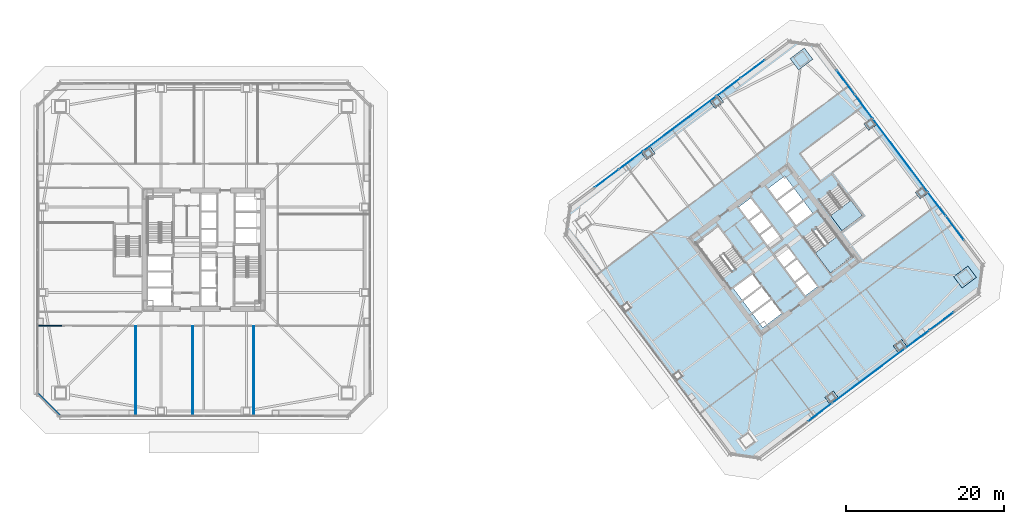
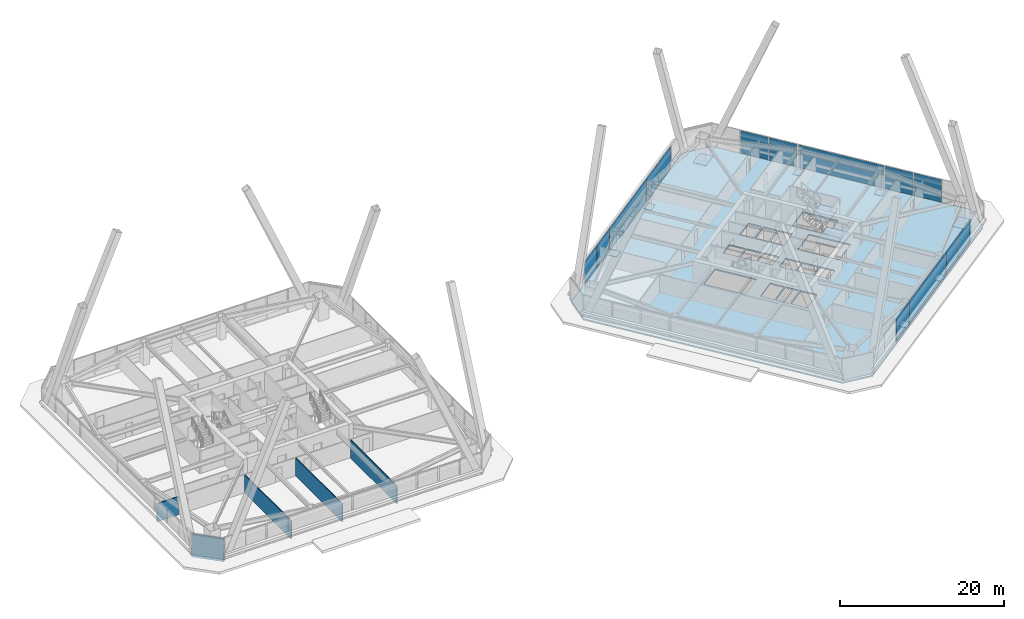
# One storey, part 55 of 67: 22 plates, 5 walls, 3 slabs, 11 elements without a shape of their own.
"""IFC4 building model written with IfcOpenShell, lengths in metres."""

from ifc_helpers import new_model, si_unit, direction, frame, frame_2d, origin, origin_2d, place, context, subcontext, project, spatial, polyline, rectangle, outline, extrude, material, layer, layer_set, type_object, element, aggregate, save


model = new_model("IFC4")

# Units and contexts
model_context = context("Model", 3, precision=1e-05, world=origin(), true_north=direction((0.0, 1.0)))
body_context = subcontext(model_context, "Body", "Model", "MODEL_VIEW")
ifc_project = project(units=[si_unit("LENGTHUNIT", "METRE"), si_unit("AREAUNIT", "SQUARE_METRE"), si_unit("VOLUMEUNIT", "CUBIC_METRE"), si_unit("PLANEANGLEUNIT", "RADIAN"), si_unit("MASSUNIT", "GRAM", prefix="KILO")], contexts=[model_context])

# Site, building, storey
site_placement = place(None, origin())
site = spatial("IfcSite", under=ifc_project, at=site_placement, CompositionType="ELEMENT")
building_placement = place(site_placement, origin())
building = spatial("IfcBuilding", under=site, at=building_placement, Name="Tashvorn Skyway Center", CompositionType="ELEMENT")
storey_placement = place(building_placement, frame((0.0, 0.0, 67.199951171875)))
storey = spatial("IfcBuildingStorey", under=building, at=storey_placement, Name="L17", CompositionType="ELEMENT", Elevation=67.199951171875)

# Curtain wall, plates
ifc_material_1 = material(Name="Thermally broken bronze-anodized aluminium 6063-T6", Category="aluminium")
curtain_wall_type = type_object("IfcCurtainWallType", Name="CW-CW-Z2", PredefinedType="NOTDEFINED", material=ifc_material_1)
curtain_wall_1_placement = place(storey_placement, origin())
curtain_wall_1 = element("IfcCurtainWall", 1, at=curtain_wall_1_placement, inside=storey, type_object=curtain_wall_type, Name="Tower 2 L17 South Unitised Curtain Wall Glazing Group 1", PredefinedType="NOTDEFINED")
ifc_material_2 = material(Name="Low-E solar-control double insulating safety glass", Category="glass")
ifc_layer_1 = layer(ifc_material_2, 0.0439453125)
ifc_layer_set_1 = layer_set([ifc_layer_1], Name="Low-E solar-control double insulating safety glass")
plate_type_1 = type_object("IfcPlateType", Name="CWP-CW-Z2", PredefinedType="CURTAIN_PANEL", material=ifc_layer_set_1)
plate_1_placement = place(storey_placement, frame((135.1279296875, 22.99609375, 0.080078125), z_axis=(0.0, 0.0, 1.0), x_axis=(-0.799999999998, -0.600000000002, 0.0)))
plate_1 = element("IfcPlate", 2, at=plate_1_placement, type_object=plate_type_1, Name="CW-Z2 panel 1.1", PredefinedType="CURTAIN_PANEL", context=body_context, shape_type="SweptSolid", body=[
    extrude(rectangle(XDim=3.719970703125, YDim=0.0439453125, at=origin_2d()), origin(), (0.0, 0.0, 1.0), 3.389892578125),
])
plate_2_placement = place(storey_placement, frame((132.087890625, 20.716064453125, 0.080078125), z_axis=(0.0, 0.0, 1.0), x_axis=(-0.799999999998, -0.600000000002, 0.0)))
plate_2 = element("IfcPlate", 3, at=plate_2_placement, type_object=plate_type_1, Name="CW-Z2 panel 2.1", PredefinedType="CURTAIN_PANEL", context=body_context, shape_type="SweptSolid", body=[
    extrude(rectangle(XDim=3.719970703125, YDim=0.0439453125, at=origin_2d()), origin(), (0.0, 0.0, 1.0), 3.389892578125),
])
aggregate(curtain_wall_1, [plate_1, plate_2])

# Curtain wall, plate
curtain_wall_2_placement = place(storey_placement, origin())
curtain_wall_2 = element("IfcCurtainWall", 4, at=curtain_wall_2_placement, inside=storey, type_object=curtain_wall_type, Name="Tower 2 L17 South Unitised Curtain Wall Glazing Group 2", PredefinedType="NOTDEFINED")
plate_3_placement = place(storey_placement, frame((125.927978515625, 16.095947265625, 0.080078125), z_axis=(0.0, 0.0, 1.0), x_axis=(-0.799999999998, -0.600000000002, 0.0)))
plate_3 = element("IfcPlate", 5, at=plate_3_placement, type_object=plate_type_1, Name="CW-Z2 panel 1.1", PredefinedType="CURTAIN_PANEL", context=body_context, shape_type="SweptSolid", body=[
    extrude(rectangle(XDim=11.360107421875, YDim=0.0439453125, at=origin_2d()), origin(), (0.0, 0.0, 1.0), 3.389892578125),
])
aggregate(curtain_wall_2, [plate_3])

curtain_wall_3_placement = place(storey_placement, origin())
curtain_wall_3 = element("IfcCurtainWall", 6, at=curtain_wall_3_placement, inside=storey, type_object=curtain_wall_type, Name="Tower 2 L17 South Unitised Curtain Wall Glazing Group 3", PredefinedType="NOTDEFINED")
plate_4_placement = place(storey_placement, frame((119.76806640625, 11.47607421875, 0.080078125), z_axis=(0.0, 0.0, 1.0), x_axis=(-0.799999999998, -0.600000000002, 0.0)))
plate_4 = element("IfcPlate", 7, at=plate_4_placement, type_object=plate_type_1, Name="CW-Z2 panel 1.1", PredefinedType="CURTAIN_PANEL", context=body_context, shape_type="SweptSolid", body=[
    extrude(rectangle(XDim=3.719970703125, YDim=0.0439453125, at=origin_2d()), origin(), (0.0, 0.0, 1.0), 3.389892578125),
])
aggregate(curtain_wall_3, [plate_4])

# Curtain wall, plates
curtain_wall_4_placement = place(storey_placement, origin())
curtain_wall_4 = element("IfcCurtainWall", 8, at=curtain_wall_4_placement, inside=storey, type_object=curtain_wall_type, Name="Tower 2 L17 North Unitised Curtain Wall Glazing Group 1", PredefinedType="NOTDEFINED")
plate_5_placement = place(storey_placement, frame((92.8720703125, 41.00390625, 0.080078125), z_axis=(0.0, 0.0, 1.0), x_axis=(0.799999999998, 0.600000000002, 0.0)))
plate_5 = element("IfcPlate", 9, at=plate_5_placement, type_object=plate_type_1, Name="CW-Z2 panel 1.1", PredefinedType="CURTAIN_PANEL", context=body_context, shape_type="SweptSolid", body=[
    extrude(rectangle(XDim=3.719970703125, YDim=0.0439453125, at=origin_2d()), origin(), (0.0, 0.0, 1.0), 3.389892578125),
])
plate_6_placement = place(storey_placement, frame((95.912109375, 43.283935546875, 0.080078125), z_axis=(0.0, 0.0, 1.0), x_axis=(0.799999999998, 0.600000000002, 0.0)))
plate_6 = element("IfcPlate", 10, at=plate_6_placement, type_object=plate_type_1, Name="CW-Z2 panel 2.1", PredefinedType="CURTAIN_PANEL", context=body_context, shape_type="SweptSolid", body=[
    extrude(rectangle(XDim=3.719970703125, YDim=0.0439453125, at=origin_2d()), origin(), (0.0, 0.0, 1.0), 3.389892578125),
])
aggregate(curtain_wall_4, [plate_5, plate_6])

# Curtain wall, plate
curtain_wall_5_placement = place(storey_placement, origin())
curtain_wall_5 = element("IfcCurtainWall", 11, at=curtain_wall_5_placement, inside=storey, type_object=curtain_wall_type, Name="Tower 2 L17 North Unitised Curtain Wall Glazing Group 2", PredefinedType="NOTDEFINED")
plate_7_placement = place(storey_placement, frame((102.072021484375, 47.904052734375, 0.080078125), z_axis=(0.0, 0.0, 1.0), x_axis=(0.799999999998, 0.600000000002, 0.0)))
plate_7 = element("IfcPlate", 12, at=plate_7_placement, type_object=plate_type_1, Name="CW-Z2 panel 1.1", PredefinedType="CURTAIN_PANEL", context=body_context, shape_type="SweptSolid", body=[
    extrude(rectangle(XDim=11.360107421875, YDim=0.0439453125, at=origin_2d()), origin(), (0.0, 0.0, 1.0), 3.389892578125),
])
aggregate(curtain_wall_5, [plate_7])

# Curtain wall, plates
curtain_wall_6_placement = place(storey_placement, origin())
curtain_wall_6 = element("IfcCurtainWall", 13, at=curtain_wall_6_placement, inside=storey, type_object=curtain_wall_type, Name="Tower 2 L17 North Unitised Curtain Wall Glazing Group 3", PredefinedType="NOTDEFINED")
plate_8_placement = place(storey_placement, frame((108.23193359375, 52.52392578125, 0.080078125), z_axis=(0.0, 0.0, 1.0), x_axis=(0.799999999998, 0.600000000002, 0.0)))
plate_8 = element("IfcPlate", 14, at=plate_8_placement, type_object=plate_type_1, Name="CW-Z2 panel 1.1", PredefinedType="CURTAIN_PANEL", context=body_context, shape_type="SweptSolid", body=[
    extrude(rectangle(XDim=3.719970703125, YDim=0.0439453125, at=origin_2d()), origin(), (0.0, 0.0, 1.0), 3.389892578125),
])
plate_9_placement = place(storey_placement, frame((111.27197265625, 54.803955078125, 0.080078125), z_axis=(0.0, 0.0, 1.0), x_axis=(0.799999999998, 0.600000000002, 0.0)))
plate_9 = element("IfcPlate", 15, at=plate_9_placement, type_object=plate_type_1, Name="CW-Z2 panel 2.1", PredefinedType="CURTAIN_PANEL", context=body_context, shape_type="SweptSolid", body=[
    extrude(rectangle(XDim=3.719970703125, YDim=0.0439453125, at=origin_2d()), origin(), (0.0, 0.0, 1.0), 3.389892578125),
])
aggregate(curtain_wall_6, [plate_8, plate_9])

curtain_wall_7_placement = place(storey_placement, origin())
curtain_wall_7 = element("IfcCurtainWall", 16, at=curtain_wall_7_placement, inside=storey, type_object=curtain_wall_type, Name="Tower 2 L17 East Unitised Curtain Wall Glazing Group 1", PredefinedType="NOTDEFINED")
plate_10_placement = place(storey_placement, frame((123.00390625, 53.1279296875, 0.080078125), z_axis=(0.0, 0.0, 1.0), x_axis=(0.600000000002, -0.799999999998, 0.0)))
plate_10 = element("IfcPlate", 17, at=plate_10_placement, type_object=plate_type_1, Name="CW-Z2 panel 1.1", PredefinedType="CURTAIN_PANEL", context=body_context, shape_type="SweptSolid", body=[
    extrude(rectangle(XDim=3.719970703125, YDim=0.0439453125, at=origin_2d()), origin(), (0.0, 0.0, 1.0), 3.389892578125),
])
plate_11_placement = place(storey_placement, frame((125.283935546875, 50.087890625, 0.080078125), z_axis=(0.0, 0.0, 1.0), x_axis=(0.600000000002, -0.799999999998, 0.0)))
plate_11 = element("IfcPlate", 18, at=plate_11_placement, type_object=plate_type_1, Name="CW-Z2 panel 2.1", PredefinedType="CURTAIN_PANEL", context=body_context, shape_type="SweptSolid", body=[
    extrude(rectangle(XDim=3.719970703125, YDim=0.0439453125, at=origin_2d()), origin(), (0.0, 0.0, 1.0), 3.389892578125),
])
aggregate(curtain_wall_7, [plate_10, plate_11])

# Curtain wall, plate
curtain_wall_8_placement = place(storey_placement, origin())
curtain_wall_8 = element("IfcCurtainWall", 19, at=curtain_wall_8_placement, inside=storey, type_object=curtain_wall_type, Name="Tower 2 L17 East Unitised Curtain Wall Glazing Group 2", PredefinedType="NOTDEFINED")
plate_12_placement = place(storey_placement, frame((129.904052734375, 43.927978515625, 0.080078125), z_axis=(0.0, 0.0, 1.0), x_axis=(0.600000000002, -0.799999999998, 0.0)))
plate_12 = element("IfcPlate", 20, at=plate_12_placement, type_object=plate_type_1, Name="CW-Z2 panel 1.1", PredefinedType="CURTAIN_PANEL", context=body_context, shape_type="SweptSolid", body=[
    extrude(rectangle(XDim=11.360107421875, YDim=0.0439453125, at=origin_2d()), origin(), (0.0, 0.0, 1.0), 3.389892578125),
])
aggregate(curtain_wall_8, [plate_12])

# Curtain wall, plates
curtain_wall_9_placement = place(storey_placement, origin())
curtain_wall_9 = element("IfcCurtainWall", 21, at=curtain_wall_9_placement, inside=storey, type_object=curtain_wall_type, Name="Tower 2 L17 East Unitised Curtain Wall Glazing Group 3", PredefinedType="NOTDEFINED")
plate_13_placement = place(storey_placement, frame((134.52392578125, 37.76806640625, 0.080078125), z_axis=(0.0, 0.0, 1.0), x_axis=(0.600000000002, -0.799999999998, 0.0)))
plate_13 = element("IfcPlate", 22, at=plate_13_placement, type_object=plate_type_1, Name="CW-Z2 panel 1.1", PredefinedType="CURTAIN_PANEL", context=body_context, shape_type="SweptSolid", body=[
    extrude(rectangle(XDim=3.719970703125, YDim=0.0439453125, at=origin_2d()), origin(), (0.0, 0.0, 1.0), 3.389892578125),
])
plate_14_placement = place(storey_placement, frame((136.803955078125, 34.72802734375, 0.080078125), z_axis=(0.0, 0.0, 1.0), x_axis=(0.600000000002, -0.799999999998, 0.0)))
plate_14 = element("IfcPlate", 23, at=plate_14_placement, type_object=plate_type_1, Name="CW-Z2 panel 2.1", PredefinedType="CURTAIN_PANEL", context=body_context, shape_type="SweptSolid", body=[
    extrude(rectangle(XDim=3.719970703125, YDim=0.0439453125, at=origin_2d()), origin(), (0.0, 0.0, 1.0), 3.389892578125),
])
aggregate(curtain_wall_9, [plate_13, plate_14])

# Plates
ifc_material_3 = material(Name="Steel ASTM A572 Grade 50", Category="steel")
ifc_layer_2 = layer(ifc_material_3, 0.050048828125)
ifc_layer_set_2 = layer_set([ifc_layer_2], Name="Steel ASTM A572 Grade 50")
plate_type_2 = type_object("IfcPlateType", Name="PLT-ENDCAP-1650", PredefinedType="USERDEFINED", material=ifc_layer_set_2)
for number, where, z_axis, x_axis, name in (
    (24, (138.080078125, 28.56005859375, -0.23486328125), (0.0, 0.0, 1.0), (0.799999996291, 0.600000004945, 0.0), "Tower 2 L17 MC-SE Setback Base End Plate"),
    (25, (117.43994140625, 56.080078125, -0.23486328125), (0.0, 0.0, 1.0), (0.799999996291, 0.600000004945, 0.0), "Tower 2 L17 MC-NE Setback Base End Plate"),
):
    element("IfcPlate", number, at=place(storey_placement, frame(where, z_axis=z_axis, x_axis=x_axis)), inside=storey, type_object=plate_type_2, Name=name, ObjectType="END PLATE", PredefinedType="USERDEFINED", context=body_context, shape_type="SweptSolid", body=[
        extrude(rectangle(XDim=2.25, YDim=1.780029296875, at=origin_2d()), origin(), (0.0, 0.0, 1.0), 0.050048828125),
    ])
ifc_layer_3 = layer(ifc_material_3, 0.050048828125)
ifc_layer_set_3 = layer_set([ifc_layer_3], Name="Steel ASTM A572 Grade 50")
plate_type_3 = type_object("IfcPlateType", Name="PLT-ENDCAP-900", PredefinedType="USERDEFINED", material=ifc_layer_set_3)
for number, where, z_axis, x_axis, name in (
    (26, (121.22998046875, 13.360107421875, -0.23486328125), (0.0, 0.0, 1.0), (0.799999996291, 0.600000004945, 0.0), "Tower 2 L17 FC-S1 Setback Base End Plate"),
    (27, (129.8701171875, 19.840087890625, -0.23486328125), (0.0, 0.0, 1.0), (0.799999996291, 0.600000004945, 0.0), "Tower 2 L17 FC-S2 Setback Base End Plate"),
    (28, (132.639892578125, 39.22998046875, -0.23486328125), (0.0, 0.0, 1.0), (0.799999996291, 0.600000004945, 0.0), "Tower 2 L17 FC-E1 Setback Base End Plate"),
    (29, (126.159912109375, 47.8701171875, -0.23486328125), (0.0, 0.0, 1.0), (0.799999996291, 0.600000004945, 0.0), "Tower 2 L17 FC-E2 Setback Base End Plate"),
    (30, (106.77001953125, 50.639892578125, -0.23486328125), (0.0, 0.0, 1.0), (0.799999996291, 0.600000004945, 0.0), "Tower 2 L17 FC-N1 Setback Base End Plate"),
    (31, (98.1298828125, 44.159912109375, -0.23486328125), (0.0, 0.0, 1.0), (0.799999996291, 0.600000004945, 0.0), "Tower 2 L17 FC-N2 Setback Base End Plate"),
):
    element("IfcPlate", number, at=place(storey_placement, frame(where, z_axis=z_axis, x_axis=x_axis)), inside=storey, type_object=plate_type_3, Name=name, ObjectType="END PLATE", PredefinedType="USERDEFINED", context=body_context, shape_type="SweptSolid", body=[
        extrude(rectangle(XDim=1.35009765625, YDim=1.050048828125, at=origin_2d()), origin(), (0.0, 0.0, 1.0), 0.050048828125),
    ])

# Slab
ifc_material_4 = material(Name="Concrete C40/50", Category="concrete")
ifc_layer_4 = layer(ifc_material_4, 0.199951171875)
ifc_layer_set_4 = layer_set([ifc_layer_4], Name="Concrete C40/50")
slab_type_1 = type_object("IfcSlabType", Name="SLAB-FLR-200", PredefinedType="FLOOR", material=ifc_layer_set_4)
slab_1_placement = place(storey_placement, frame((0.0, 0.0, -0.199951171875)))
element("IfcSlab", 32, at=slab_1_placement, inside=storey, type_object=slab_type_1, Name="Tower 2 L17 Composite Floor Slab", PredefinedType="FLOOR", context=body_context, shape_type="SweptSolid", body=[
    extrude(outline(polyline([(112.239990234375, 5.679931640625), (139.760009765625, 26.320068359375), (140.320068359375, 30.239990234375), (119.679931640625, 57.760009765625), (115.760009765625, 58.320068359375), (88.239990234375, 37.679931640625), (87.679931640625, 33.760009765625), (108.320068359375, 6.239990234375), (112.239990234375, 5.679931640625)]), holes=[polyline([(110.23193359375, 30.52392578125), (106.919921875, 34.93994140625), (104.135986328125, 32.85205078125), (107.447998046875, 28.43603515625), (110.23193359375, 30.52392578125)]), polyline([(117.76806640625, 33.47607421875), (121.080078125, 29.06005859375), (123.864013671875, 31.14794921875), (120.552001953125, 35.56396484375), (117.76806640625, 33.47607421875)]), polyline([(119.7119140625, 38.18408203125), (122.5439453125, 34.407958984375), (125.10400390625, 36.327880859375), (122.27197265625, 40.10400390625), (119.7119140625, 38.18408203125)]), polyline([(109.949951171875, 25.64990234375), (112.35009765625, 27.449951171875), (111.239990234375, 28.929931640625), (108.840087890625, 27.1298828125), (109.949951171875, 25.64990234375)]), polyline([(111.14990234375, 24.050048828125), (113.550048828125, 25.85009765625), (112.43994140625, 27.330078125), (110.0400390625, 25.530029296875), (111.14990234375, 24.050048828125)]), polyline([(112.56005859375, 22.169921875), (114.9599609375, 23.969970703125), (113.669921875, 25.68994140625), (111.27001953125, 23.889892578125), (112.56005859375, 22.169921875)]), polyline([(117.919921875, 26.18994140625), (119.43994140625, 27.330078125), (118.2099609375, 28.969970703125), (116.68994140625, 27.830078125), (117.919921875, 26.18994140625)]), polyline([(116.570068359375, 27.989990234375), (118.090087890625, 29.1298828125), (116.860107421875, 30.77001953125), (115.340087890625, 29.6298828125), (116.570068359375, 27.989990234375)]), polyline([(115.219970703125, 29.7900390625), (116.739990234375, 30.929931640625), (115.510009765625, 32.570068359375), (113.989990234375, 31.429931640625), (115.219970703125, 29.7900390625)]), polyline([(113.449951171875, 32.14990234375), (114.969970703125, 33.2900390625), (113.739990234375, 34.929931640625), (112.219970703125, 33.7900390625), (113.449951171875, 32.14990234375)]), polyline([(112.10009765625, 33.949951171875), (113.6201171875, 35.090087890625), (112.389892578125, 36.72998046875), (110.8701171875, 35.590087890625), (112.10009765625, 33.949951171875)]), polyline([(110.75, 35.75), (112.27001953125, 36.889892578125), (111.0400390625, 38.530029296875), (109.52001953125, 37.389892578125), (110.75, 35.75)]), polyline([(116.760009765625, 35.070068359375), (118.840087890625, 36.6298828125), (117.72998046875, 38.110107421875), (115.64990234375, 36.550048828125), (116.760009765625, 35.070068359375)]), polyline([(115.530029296875, 36.7099609375), (117.610107421875, 38.27001953125), (116.5, 39.75), (114.419921875, 38.18994140625), (115.530029296875, 36.7099609375)]), polyline([(114.300048828125, 38.35009765625), (116.3798828125, 39.909912109375), (115.330078125, 41.31005859375), (113.25, 39.75), (114.300048828125, 38.35009765625)])]), origin(), (0.0, 0.0, 1.0), 0.199951171875),
])

# Stair, slab
stair_type = type_object("IfcStairType", Name="STAIR-CORE-1500", PredefinedType="HALF_TURN_STAIR", material=ifc_material_4)
stair_1_placement = place(storey_placement, origin())
stair_1 = element("IfcStair", 33, at=stair_1_placement, inside=storey, type_object=stair_type, Name="L17 Tower 2 Exit Stair 2", PredefinedType="HALF_TURN_STAIR")
ifc_layer_5 = layer(ifc_material_4, 0.199951171875)
ifc_layer_set_5 = layer_set([ifc_layer_5], Name="Concrete C40/50")
slab_type_2 = type_object("IfcSlabType", Name="SLAB-LAND-200", PredefinedType="LANDING", material=ifc_layer_set_5)
slab_2_placement = place(storey_placement, frame((0.0, 0.0, 1.574951171875)))
slab_2 = element("IfcSlab", 34, at=slab_2_placement, type_object=slab_type_2, Name="ST-T2-2 landing 1", PredefinedType="LANDING", context=body_context, shape_type="SweptSolid", body=[
    extrude(outline(polyline([(119.17919921875, 31.594482421875), (121.080078125, 29.06005859375), (123.864013671875, 31.14794921875), (121.963134765625, 33.682373046875), (119.17919921875, 31.594482421875)])), origin(), (0.0, 0.0, 1.0), 0.2001953125),
])
aggregate(stair_1, [slab_2])

stair_2_placement = place(storey_placement, origin())
stair_2 = element("IfcStair", 35, at=stair_2_placement, inside=storey, type_object=stair_type, Name="L17 Tower 2 Exit Stair 3", PredefinedType="HALF_TURN_STAIR")
slab_3_placement = place(storey_placement, frame((0.0, 0.0, 1.574951171875)))
slab_3 = element("IfcSlab", 36, at=slab_3_placement, type_object=slab_type_2, Name="ST-T2-3 landing 1", PredefinedType="LANDING", context=body_context, shape_type="SweptSolid", body=[
    extrude(outline(polyline([(121.123291015625, 36.302490234375), (122.5439453125, 34.407958984375), (125.10400390625, 36.327880859375), (123.68310546875, 38.222412109375), (121.123291015625, 36.302490234375)])), origin(), (0.0, 0.0, 1.0), 0.2001953125),
])
aggregate(stair_2, [slab_3])

# Walls
ifc_material_5 = material(Name="Precast concrete C40/50", Category="concrete")
ifc_layer_6 = layer(ifc_material_5, 0.280029296875)
ifc_layer_set_6 = layer_set([ifc_layer_6], Name="Precast concrete C40/50")
wall_type_1 = type_object("IfcWallType", Name="WALL-EXT-280", PredefinedType="SOLIDWALL", material=ifc_layer_set_6)
wall_1_placement = place(storey_placement, frame((23.89990234375, 11.0, 0.0), z_axis=(0.0, 0.0, 1.0), x_axis=(-0.707106781187, 0.707106781187, 0.0)))
element("IfcWall", 37, at=wall_1_placement, inside=storey, type_object=wall_type_1, Name="Tower 1 L17 SW Precast Chamfer Wall", PredefinedType="SOLIDWALL", context=body_context, shape_type="SweptSolid", body=[
    extrude(rectangle(XDim=4.10107421875, YDim=0.280029296875, at=frame_2d((2.050537109375, 0.0))), origin(), (0.0, 0.0, 1.0), 3.35009765625),
])
ifc_material_6 = material(Name="Gypsum board on cold-formed steel stud framing", Category="steel")
ifc_layer_7 = layer(ifc_material_6, 0.110107421875)
ifc_layer_set_7 = layer_set([ifc_layer_7], Name="Gypsum board on cold-formed steel stud framing")
wall_type_2 = type_object("IfcWallType", Name="WALL-PART-110", PredefinedType="PARTITIONING", material=ifc_layer_set_7)
for number, where, z_axis, x_axis, name in (
    (38, (33.39990234375, 11.02001953125, 0.0), (0.0, 0.0, 1.0), (0.0, 1.0, 0.0), "Tower 1 L17 South Suite Partition 1"),
    (39, (40.60009765625, 11.02001953125, 0.0), (0.0, 0.0, 1.0), (0.0, 1.0, 0.0), "Tower 1 L17 South Suite Partition 2"),
    (40, (48.300048828125, 11.02001953125, 0.0), (0.0, 0.0, 1.0), (0.0, 1.0, 0.0), "Tower 1 L17 South Suite Partition 3"),
):
    element("IfcWall", number, at=place(storey_placement, frame(where, z_axis=z_axis, x_axis=x_axis)), inside=storey, type_object=wall_type_2, Name=name, PredefinedType="PARTITIONING", context=body_context, shape_type="SweptSolid", body=[
        extrude(rectangle(XDim=11.330078125, YDim=0.110107421875, at=frame_2d((5.6650390625, 0.0))), origin(), (0.0, 0.0, 1.0), 2.703125),
    ])
ifc_layer_8 = layer(ifc_material_6, 0.135009765625)
ifc_layer_set_8 = layer_set([ifc_layer_8], Name="Gypsum board on cold-formed steel stud framing")
wall_type_3 = type_object("IfcWallType", Name="WALL-PART-135", PredefinedType="PARTITIONING", material=ifc_layer_set_8)
wall_2_placement = place(storey_placement, frame((21.02001953125, 22.429931640625, 0.0), z_axis=(0.0, 0.0, 1.0), x_axis=(1.0, 0.0, 0.0)))
element("IfcWall", 41, at=wall_2_placement, inside=storey, type_object=wall_type_3, Name="Tower 1 L17 South-West Suite North Wall", PredefinedType="PARTITIONING", context=body_context, shape_type="SweptSolid", body=[
    extrude(rectangle(XDim=3.030029296875, YDim=0.135009765625, at=frame_2d((1.51513671875, 0.0))), origin(), (0.0, 0.0, 1.0), 2.703125),
])

save(model, "model.ifc")
